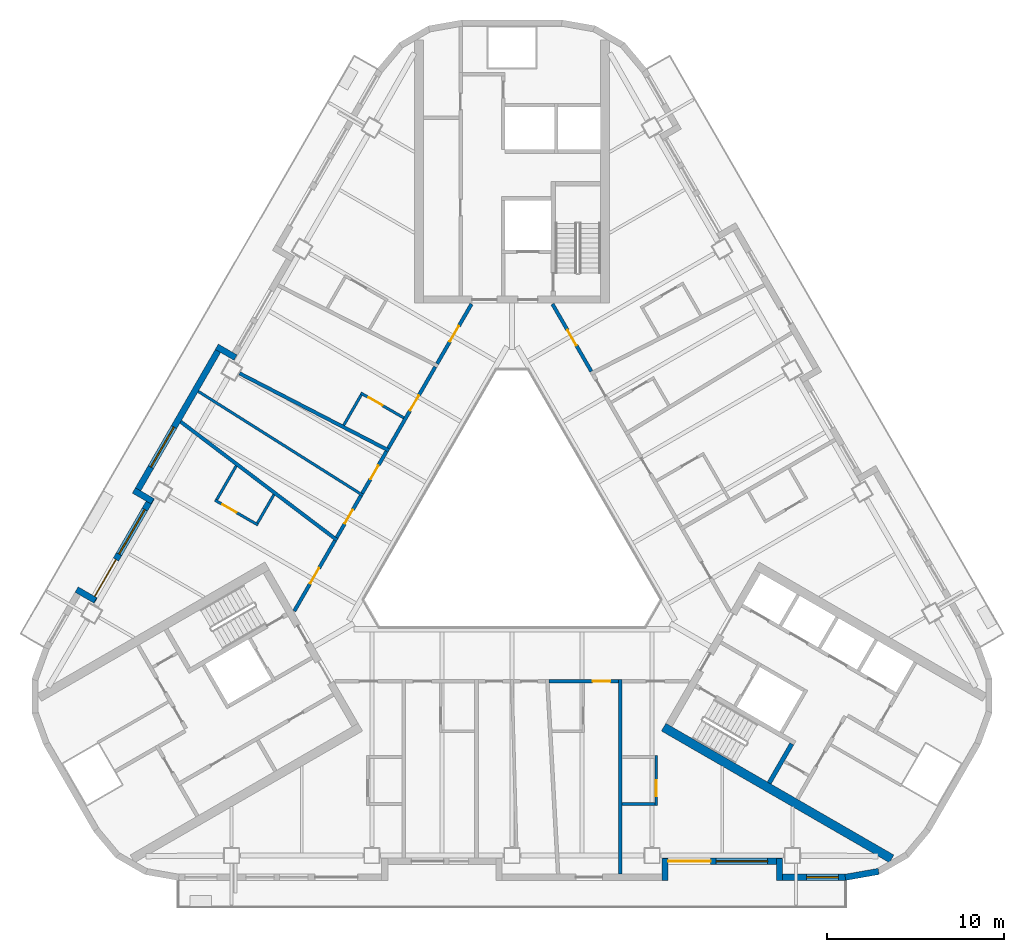
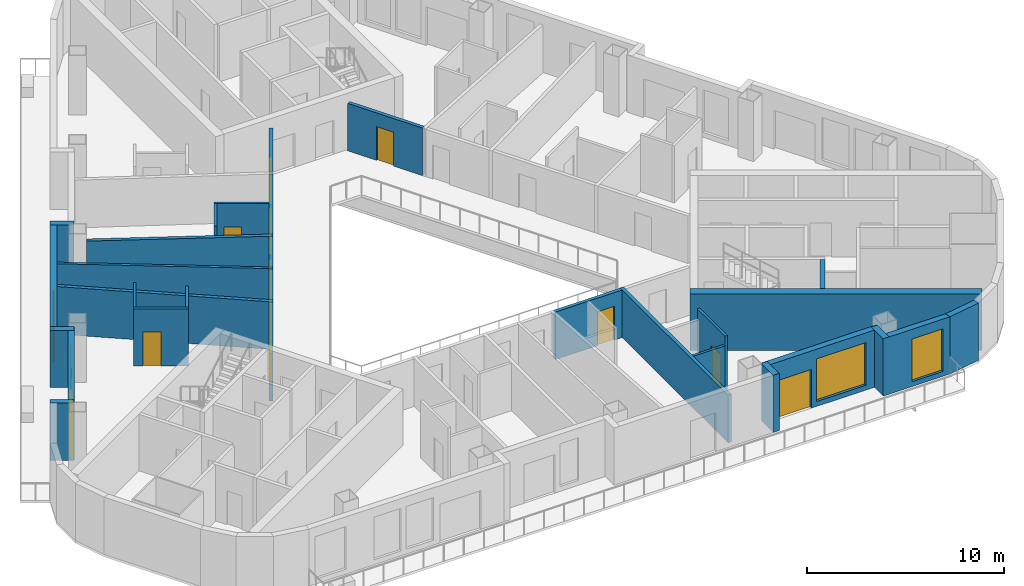
# One storey, part 4 of 14: 30 walls, 12 doors, 4 windows, 16 openings.
"""IFC4 building model written with IfcOpenShell, lengths in metres."""

from ifc_helpers import new_model, si_unit, direction, frame, frame_2d, origin, place, context, subcontext, project, spatial, rectangle, extrude, material, layer, layer_set, type_object, element, fill, save


model = new_model("IFC4")

# Units and contexts
model_context = context("Model", 3, precision=1e-05, world=origin(), true_north=direction((0.0, 1.0)))
body_context = subcontext(model_context, "Body", "Model", "MODEL_VIEW")
ifc_project = project(units=[si_unit("LENGTHUNIT", "METRE"), si_unit("AREAUNIT", "SQUARE_METRE"), si_unit("VOLUMEUNIT", "CUBIC_METRE"), si_unit("PLANEANGLEUNIT", "RADIAN"), si_unit("MASSUNIT", "GRAM", prefix="KILO")], contexts=[model_context])

# Site, building, storey
site_placement = place(None, origin())
site = spatial("IfcSite", under=ifc_project, at=site_placement, CompositionType="ELEMENT")
building_placement = place(site_placement, origin())
building = spatial("IfcBuilding", under=site, at=building_placement, Name="Apuvela Tower Hotel", CompositionType="ELEMENT")
storey_placement = place(building_placement, frame((0.0, 0.0, 87.199951171875)))
storey = spatial("IfcBuildingStorey", under=building, at=storey_placement, Name="L19", CompositionType="ELEMENT", Elevation=87.199951171875)

# Walls
ifc_material_1 = material(Name="Concrete C50/60", Category="concrete")
ifc_layer_1 = layer(ifc_material_1, 0.5)
ifc_layer_set_1 = layer_set([ifc_layer_1], Name="COR-WALL-CORE-500")
wall_type_1 = type_object("IfcWallType", Name="COR-WALL-CORE-500", PredefinedType="SHEAR", material=ifc_layer_set_1)
wall_1_placement = place(storey_placement, frame((8.546630859375, -10.99658203125, 0.0), z_axis=(0.0, 0.0, 1.0), x_axis=(0.866025009528, -0.500000682871, 0.0)))
element("IfcWall", 1, at=wall_1_placement, inside=storey, type_object=wall_type_1, Name="Core wall SE", PredefinedType="SHEAR", context=body_context, shape_type="SweptSolid", body=[
    extrude(rectangle(XDim=14.8369140625, YDim=0.5, at=frame_2d((7.41845703125, 0.0))), origin(), (0.0, 0.0, 1.0), 3.5),
])
ifc_layer_2 = layer(ifc_material_1, 0.25)
ifc_layer_set_2 = layer_set([ifc_layer_2], Name="COR-WALL-STAIR-250")
wall_type_2 = type_object("IfcWallType", Name="COR-WALL-STAIR-250", PredefinedType="SHEAR", material=ifc_layer_set_2)
wall_2_placement = place(storey_placement, frame((14.49560546875, -14.142578125, 0.0), z_axis=(0.0, 0.0, 1.0), x_axis=(0.500062241894, 0.865989465428, 0.0)))
element("IfcWall", 2, at=wall_2_placement, inside=storey, type_object=wall_type_2, Name="Stair wall SE", PredefinedType="SHEAR", context=body_context, shape_type="SweptSolid", body=[
    extrude(rectangle(XDim=2.550048828125, YDim=0.25, at=frame_2d((1.27490234375, 0.0))), origin(), (0.0, 0.0, 1.0), 3.5),
])
ifc_material_2 = material(Name="Concrete C40/50, dark pigmented precast panel", Category="concrete")
ifc_layer_3 = layer(ifc_material_2, 0.35009765625)
ifc_layer_set_3 = layer_set([ifc_layer_3], Name="ENV-WALL-350")
wall_type_3 = type_object("IfcWallType", Name="ENV-WALL-350", PredefinedType="SOLIDWALL", material=ifc_layer_set_3)
wall_3_placement = place(storey_placement, frame((-15.580810546875, 9.8330078125, 0.0), z_axis=(0.0, 0.0, 1.0), x_axis=(-0.866055662726, 0.499947586314, 0.0)))
element("IfcWall", 3, at=wall_3_placement, inside=storey, type_object=wall_type_3, Name="External wall L19-04", PredefinedType="SOLIDWALL", context=body_context, shape_type="SweptSolid", body=[
    extrude(rectangle(XDim=1.220458984375, YDim=0.35009765625, at=frame_2d((0.6103515625, 0.0))), origin(), (0.0, 0.0, 1.0), 3.550048828125),
])

# Wall, opening, window
wall_4_placement = place(storey_placement, frame((-16.3984375, 10.507080078125, 0.0), z_axis=(0.0, 0.0, 1.0), x_axis=(-0.499999142773, -0.866025898704, 0.0)))
wall_4 = element("IfcWall", 4, at=wall_4_placement, inside=storey, type_object=wall_type_3, Name="External wall L19-05", PredefinedType="SOLIDWALL", context=body_context, shape_type="SweptSolid", body=[
    extrude(rectangle(XDim=9.7001953125, YDim=0.35009765625, at=frame_2d((4.85009765625, 0.0))), origin(), (0.0, 0.0, 1.0), 3.550048828125),
])
opening_1_placement = place(wall_4_placement, frame((5.301025390625, 0.0, 0.300048828125)))
opening_1 = element("IfcOpeningElement", 5, at=opening_1_placement, cuts=wall_4, Name="Opening WN26", PredefinedType="OPENING", context=body_context, shape_type="SweptSolid", body=[
    extrude(rectangle(XDim=2.60009765625, YDim=2.64990234375, at=frame_2d((1.300048828125, 1.324951171875))), frame((0.0, 0.18505859375, 0.0), z_axis=(0.0, -1.0, 0.0), x_axis=(1.0, 0.0, 0.0)), (0.0, 0.0, 1.0), 0.3701171875),
])
ifc_material_3 = material(Name="Glass, dark tinted laminated insulated glazing unit", Category="glass")
window_type_1 = type_object("IfcWindowType", Name="ENV-WIN-2600x2650", PartitioningType="SINGLE_PANEL", PredefinedType="WINDOW", material=ifc_material_3)
window_1_placement = place(opening_1_placement, origin())
window_1 = element("IfcWindow", 6, at=window_1_placement, inside=storey, type_object=window_type_1, Name="Window WN26", OverallHeight=2.64990234375, OverallWidth=2.60009765625, PartitioningType="SINGLE_PANEL", PredefinedType="WINDOW", context=body_context, shape_type="SweptSolid", body=[
    extrude(rectangle(XDim=2.60009765625, YDim=2.64990234375, at=frame_2d((1.300048828125, 1.324951171875))), frame((0.0, 0.030029296875, 0.0), z_axis=(0.0, -1.0, 0.0), x_axis=(1.0, 0.0, 0.0)), (0.0, 0.0, 1.0), 0.06005859375),
])
fill(opening_1, window_1)

# Wall
wall_5_placement = place(storey_placement, frame((-21.3125, 2.345703125, 0.0), z_axis=(0.0, 0.0, 1.0), x_axis=(0.866005645448, -0.500034220881, 0.0)))
element("IfcWall", 7, at=wall_5_placement, inside=storey, type_object=wall_type_3, Name="External wall L19-06", PredefinedType="SOLIDWALL", context=body_context, shape_type="SweptSolid", body=[
    extrude(rectangle(XDim=1.22021484375, YDim=0.35009765625, at=frame_2d((0.610107421875, 0.0))), origin(), (0.0, 0.0, 1.0), 3.550048828125),
])

# Wall, openings, door, window
wall_6_placement = place(storey_placement, frame((-20.30908203125, 1.93359375, 0.0), z_axis=(0.0, 0.0, 1.0), x_axis=(-0.499992114976, -0.866029956157, 0.0)))
wall_6 = element("IfcWall", 8, at=wall_6_placement, inside=storey, type_object=wall_type_3, Name="External wall L19-07", PredefinedType="SOLIDWALL", context=body_context, shape_type="SweptSolid", body=[
    extrude(rectangle(XDim=6.73974609375, YDim=0.35009765625, at=frame_2d((3.369873046875, 0.0))), origin(), (0.0, 0.0, 1.0), 3.550048828125),
])
opening_2_placement = place(wall_6_placement, frame((4.02001953125, 0.0, 0.0)))
opening_2 = element("IfcOpeningElement", 9, at=opening_2_placement, cuts=wall_6, Name="Opening BD24", PredefinedType="OPENING", context=body_context, shape_type="SweptSolid", body=[
    extrude(rectangle(XDim=2.39990234375, YDim=2.39990234375, at=frame_2d((1.199951171875, 1.199951171875))), frame((0.0, 0.18505859375, 0.0), z_axis=(0.0, -1.0, 0.0), x_axis=(1.0, 0.0, 0.0)), (0.0, 0.0, 1.0), 0.3701171875),
])
opening_3_placement = place(wall_6_placement, frame((0.77001953125, 0.0, 0.300048828125)))
opening_3 = element("IfcOpeningElement", 10, at=opening_3_placement, cuts=wall_6, Name="Opening WN29", PredefinedType="OPENING", context=body_context, shape_type="SweptSolid", body=[
    extrude(rectangle(XDim=2.89990234375, YDim=2.64990234375, at=frame_2d((1.449951171875, 1.324951171875))), frame((0.0, 0.18505859375, 0.0), z_axis=(0.0, -1.0, 0.0), x_axis=(1.0, 0.0, 0.0)), (0.0, 0.0, 1.0), 0.3701171875),
])
ifc_material_4 = material(Name="Aluminium 6063-T6, dark bronze anodised frame with dark tinted laminated glass", Category="aluminium")
door_type_1 = type_object("IfcDoorType", Name="ENV-DOOR-BALCONY-2400x2400", OperationType="SLIDING_TO_LEFT", PredefinedType="DOOR", material=ifc_material_4)
door_1_placement = place(opening_2_placement, frame((2.39990234375, 0.0, 0.0), z_axis=(0.0, 0.0, 1.0), x_axis=(-1.0, 0.0, 0.0)))
door_1 = element("IfcDoor", 11, at=door_1_placement, inside=storey, type_object=door_type_1, Name="Balcony door BD24", OperationType="SLIDING_TO_LEFT", OverallHeight=2.39990234375, OverallWidth=2.39990234375, PredefinedType="DOOR", context=body_context, shape_type="SweptSolid", body=[
    extrude(rectangle(XDim=2.39990234375, YDim=2.39990234375, at=frame_2d((1.199951171875, 1.199951171875))), frame((0.0, 0.02490234375, 0.0), z_axis=(0.0, -1.0, 0.0), x_axis=(1.0, 0.0, 0.0)), (0.0, 0.0, 1.0), 0.050048828125),
])
fill(opening_2, door_1)
window_type_2 = type_object("IfcWindowType", Name="ENV-WIN-2900x2650", PartitioningType="SINGLE_PANEL", PredefinedType="WINDOW", material=ifc_material_3)
window_2_placement = place(opening_3_placement, origin())
window_2 = element("IfcWindow", 12, at=window_2_placement, inside=storey, type_object=window_type_2, Name="Window WN29", OverallHeight=2.64990234375, OverallWidth=2.89990234375, PartitioningType="SINGLE_PANEL", PredefinedType="WINDOW", context=body_context, shape_type="SweptSolid", body=[
    extrude(rectangle(XDim=2.89990234375, YDim=2.64990234375, at=frame_2d((1.449951171875, 1.324951171875))), frame((0.0, 0.030029296875, 0.0), z_axis=(0.0, -1.0, 0.0), x_axis=(1.0, 0.0, 0.0)), (0.0, 0.0, 1.0), 0.06005859375),
])
fill(opening_3, window_2)

# Walls
for number, where, z_axis, x_axis, name in (
    (13, (-23.48095703125, -3.85009765625, 0.0), (0.0, 0.0, 1.0), (-0.866092288191, 0.499884134912, 0.0), "External wall L19-08"),
    (14, (8.625, -19.6298828125, 0.0), (0.0, 0.0, 1.0), (0.0, 1.0, 0.0), "External wall L19-22"),
):
    element("IfcWall", number, at=place(storey_placement, frame(where, z_axis=z_axis, x_axis=x_axis)), inside=storey, type_object=wall_type_3, Name=name, PredefinedType="SOLIDWALL", context=body_context, shape_type="SweptSolid", body=[
        extrude(rectangle(XDim=1.219970703125, YDim=0.35009765625, at=frame_2d((0.60986328125, 0.0))), origin(), (0.0, 0.0, 1.0), 3.550048828125),
    ])

# Wall, openings, door, window
wall_7_placement = place(storey_placement, frame((8.47998046875, -18.554931640625, 0.0), z_axis=(0.0, 0.0, 1.0), x_axis=(1.0, 0.0, 0.0)))
wall_7 = element("IfcWall", 15, at=wall_7_placement, inside=storey, type_object=wall_type_3, Name="External wall L19-23", PredefinedType="SOLIDWALL", context=body_context, shape_type="SweptSolid", body=[
    extrude(rectangle(XDim=6.739990234375, YDim=0.35009765625, at=frame_2d((3.3701171875, 0.0))), origin(), (0.0, 0.0, 1.0), 3.550048828125),
])
opening_4_placement = place(wall_7_placement, frame((0.3203125, 0.0, 0.0)))
opening_4 = element("IfcOpeningElement", 16, at=opening_4_placement, cuts=wall_7, Name="Opening BD24", PredefinedType="OPENING", context=body_context, shape_type="SweptSolid", body=[
    extrude(rectangle(XDim=2.39990234375, YDim=2.39990234375, at=frame_2d((1.199951171875, 1.199951171875))), frame((0.0, 0.18505859375, 0.0), z_axis=(0.0, -1.0, 0.0), x_axis=(1.0, 0.0, 0.0)), (0.0, 0.0, 1.0), 0.3701171875),
])
opening_5_placement = place(wall_7_placement, frame((3.020263671875, 0.0, 0.300048828125)))
opening_5 = element("IfcOpeningElement", 17, at=opening_5_placement, cuts=wall_7, Name="Opening WN29", PredefinedType="OPENING", context=body_context, shape_type="SweptSolid", body=[
    extrude(rectangle(XDim=2.89990234375, YDim=2.64990234375, at=frame_2d((1.449951171875, 1.324951171875))), frame((0.0, 0.18505859375, 0.0), z_axis=(0.0, -1.0, 0.0), x_axis=(1.0, 0.0, 0.0)), (0.0, 0.0, 1.0), 0.3701171875),
])
door_2_placement = place(opening_4_placement, frame((2.39990234375, 0.0, 0.0), z_axis=(0.0, 0.0, 1.0), x_axis=(-1.0, 0.0, 0.0)))
door_2 = element("IfcDoor", 18, at=door_2_placement, inside=storey, type_object=door_type_1, Name="Balcony door BD24", OperationType="SLIDING_TO_LEFT", OverallHeight=2.39990234375, OverallWidth=2.39990234375, PredefinedType="DOOR", context=body_context, shape_type="SweptSolid", body=[
    extrude(rectangle(XDim=2.39990234375, YDim=2.39990234375, at=frame_2d((1.199951171875, 1.199951171875))), frame((0.0, 0.02490234375, 0.0), z_axis=(0.0, -1.0, 0.0), x_axis=(1.0, 0.0, 0.0)), (0.0, 0.0, 1.0), 0.050048828125),
])
fill(opening_4, door_2)
window_3_placement = place(opening_5_placement, origin())
window_3 = element("IfcWindow", 19, at=window_3_placement, inside=storey, type_object=window_type_2, Name="Window WN29", OverallHeight=2.64990234375, OverallWidth=2.89990234375, PartitioningType="SINGLE_PANEL", PredefinedType="WINDOW", context=body_context, shape_type="SweptSolid", body=[
    extrude(rectangle(XDim=2.89990234375, YDim=2.64990234375, at=frame_2d((1.449951171875, 1.324951171875))), frame((0.0, 0.030029296875, 0.0), z_axis=(0.0, -1.0, 0.0), x_axis=(1.0, 0.0, 0.0)), (0.0, 0.0, 1.0), 0.06005859375),
])
fill(opening_5, window_3)

# Wall
wall_8_placement = place(storey_placement, frame((15.074951171875, -18.409912109375, 0.0), z_axis=(0.0, 0.0, 1.0), x_axis=(0.0, -1.0, 0.0)))
element("IfcWall", 20, at=wall_8_placement, inside=storey, type_object=wall_type_3, Name="External wall L19-24", PredefinedType="SOLIDWALL", context=body_context, shape_type="SweptSolid", body=[
    extrude(rectangle(XDim=1.219970703125, YDim=0.35009765625, at=frame_2d((0.60986328125, 0.0))), origin(), (0.0, 0.0, 1.0), 3.550048828125),
])

# Wall, opening, window
wall_9_placement = place(storey_placement, frame((14.89990234375, -19.455078125, 0.0), z_axis=(0.0, 0.0, 1.0), x_axis=(1.0, 0.0, 0.0)))
wall_9 = element("IfcWall", 21, at=wall_9_placement, inside=storey, type_object=wall_type_3, Name="External wall L19-25", PredefinedType="SOLIDWALL", context=body_context, shape_type="SweptSolid", body=[
    extrude(rectangle(XDim=3.916015625, YDim=0.35009765625, at=frame_2d((1.9580078125, 0.0))), origin(), (0.0, 0.0, 1.0), 3.550048828125),
])
opening_6_placement = place(wall_9_placement, frame((1.699951171875, 0.0, 0.300048828125)))
opening_6 = element("IfcOpeningElement", 22, at=opening_6_placement, cuts=wall_9, Name="Opening WN18", PredefinedType="OPENING", context=body_context, shape_type="SweptSolid", body=[
    extrude(rectangle(XDim=1.800048828125, YDim=2.64990234375, at=frame_2d((0.89990234375, 1.324951171875))), frame((0.0, 0.18505859375, 0.0), z_axis=(0.0, -1.0, 0.0), x_axis=(1.0, 0.0, 0.0)), (0.0, 0.0, 1.0), 0.3701171875),
])
window_type_3 = type_object("IfcWindowType", Name="ENV-WIN-1800x2650", PartitioningType="SINGLE_PANEL", PredefinedType="WINDOW", material=ifc_material_3)
window_4_placement = place(opening_6_placement, origin())
window_4 = element("IfcWindow", 23, at=window_4_placement, inside=storey, type_object=window_type_3, Name="Window WN18", OverallHeight=2.64990234375, OverallWidth=1.800048828125, PartitioningType="SINGLE_PANEL", PredefinedType="WINDOW", context=body_context, shape_type="SweptSolid", body=[
    extrude(rectangle(XDim=1.800048828125, YDim=2.64990234375, at=frame_2d((0.89990234375, 1.324951171875))), frame((0.0, 0.030029296875, 0.0), z_axis=(0.0, -1.0, 0.0), x_axis=(1.0, 0.0, 0.0)), (0.0, 0.0, 1.0), 0.06005859375),
])
fill(opening_6, window_4)

# Walls
wall_10_placement = place(storey_placement, frame((18.785400390625, -19.457763671875, 0.0), z_axis=(0.0, 0.0, 1.0), x_axis=(0.984798995425, 0.173697837091, 0.0)))
element("IfcWall", 24, at=wall_10_placement, inside=storey, type_object=wall_type_3, Name="External wall L19-26", PredefinedType="SOLIDWALL", context=body_context, shape_type="SweptSolid", body=[
    extrude(rectangle(XDim=1.91015625, YDim=0.35009765625, at=frame_2d((0.955078125, 0.0))), origin(), (0.0, 0.0, 1.0), 3.550048828125),
])
ifc_material_5 = material(Name="Gypsum board partition on twin steel stud", Category="steel")
ifc_layer_4 = layer(ifc_material_5, 0.199951171875)
ifc_layer_set_4 = layer_set([ifc_layer_4], Name="GST-PW1")
wall_type_4 = type_object("IfcWallType", Name="GST-PW1", PredefinedType="PARTITIONING", material=ifc_layer_set_4)
wall_11_placement = place(storey_placement, frame((6.10009765625, -19.280029296875, 0.0), z_axis=(0.0, 0.0, 1.0), x_axis=(0.0, 1.0, 0.0)))
element("IfcWall", 25, at=wall_11_placement, inside=storey, type_object=wall_type_4, Name="L19 partition 04", PredefinedType="PARTITIONING", context=body_context, shape_type="SweptSolid", body=[
    extrude(rectangle(XDim=10.97998046875, YDim=0.199951171875, at=frame_2d((5.489990234375, 0.0))), origin(), (0.0, 0.0, 1.0), 2.9599609375),
])
wall_12_placement = place(storey_placement, frame((-15.363037109375, 8.9501953125, 0.0), z_axis=(0.0, 0.0, 1.0), x_axis=(0.888262888387, -0.459335434203, 0.0)))
element("IfcWall", 26, at=wall_12_placement, inside=storey, type_object=wall_type_4, Name="L19 partition 09", PredefinedType="PARTITIONING", context=body_context, shape_type="SweptSolid", body=[
    extrude(rectangle(XDim=9.489990234375, YDim=0.199951171875, at=frame_2d((4.7451171875, 0.0))), origin(), (0.0, 0.0, 1.0), 2.949951171875),
])
wall_13_placement = place(storey_placement, frame((-18.672119140625, 6.21923828125, 0.0), z_axis=(0.0, 0.0, 1.0), x_axis=(0.797182242606, -0.603738744884, 0.0)))
element("IfcWall", 27, at=wall_13_placement, inside=storey, type_object=wall_type_4, Name="L19 partition 10", PredefinedType="PARTITIONING", context=body_context, shape_type="SweptSolid", body=[
    extrude(rectangle(XDim=11.06591796875, YDim=0.199951171875, at=frame_2d((5.532958984375, 0.0))), origin(), (0.0, 0.0, 1.0), 2.949951171875),
])

# Wall, opening, door
ifc_material_6 = material(Name="Gypsum board corridor wall on twin steel stud, acoustic", Category="steel")
ifc_layer_5 = layer(ifc_material_6, 0.199951171875)
ifc_layer_set_5 = layer_set([ifc_layer_5], Name="GST-PW2")
wall_type_5 = type_object("IfcWallType", Name="GST-PW2", PredefinedType="PARTITIONING", material=ifc_layer_set_5)
wall_14_placement = place(storey_placement, frame((6.0, -8.39990234375, 0.0), z_axis=(0.0, 0.0, 1.0), x_axis=(-1.0, 0.0, 0.0)))
wall_14 = element("IfcWall", 28, at=wall_14_placement, inside=storey, type_object=wall_type_5, Name="L19 partition 21", PredefinedType="PARTITIONING", context=body_context, shape_type="SweptSolid", body=[
    extrude(rectangle(XDim=3.905517578125, YDim=0.199951171875, at=frame_2d((1.95263671875, 0.0))), origin(), (0.0, 0.0, 1.0), 2.949951171875),
])
opening_7_placement = place(wall_14_placement, frame((0.449951171875, 0.0, 0.0)))
opening_7 = element("IfcOpeningElement", 29, at=opening_7_placement, cuts=wall_14, Name="Opening GD06-08", PredefinedType="OPENING", context=body_context, shape_type="SweptSolid", body=[
    extrude(rectangle(XDim=1.0, YDim=2.10009765625, at=frame_2d((0.5, 1.050048828125))), frame((0.0, 0.10986328125, 0.0), z_axis=(0.0, -1.0, 0.0), x_axis=(1.0, 0.0, 0.0)), (0.0, 0.0, 1.0), 0.219970703125),
])
ifc_material_7 = material(Name="Timber door leaf in steel frame", Category="steel")
door_type_2 = type_object("IfcDoorType", Name="GST-D1", OperationType="NOTDEFINED", PredefinedType="DOOR", material=ifc_material_7)
door_3_placement = place(opening_7_placement, origin())
door_3 = element("IfcDoor", 30, at=door_3_placement, inside=storey, type_object=door_type_2, Name="Door L19-08", OperationType="SINGLE_SWING_LEFT", OverallHeight=2.10009765625, OverallWidth=1.0, PredefinedType="DOOR", context=body_context, shape_type="SweptSolid", body=[
    extrude(rectangle(XDim=1.0, YDim=2.10009765625, at=frame_2d((0.5, 1.050048828125))), frame((0.0, 0.02490234375, 0.0), z_axis=(0.0, -1.0, 0.0), x_axis=(1.0, 0.0, 0.0)), (0.0, 0.0, 1.0), 0.050048828125),
])
fill(opening_7, door_3)

wall_15_placement = place(storey_placement, frame((2.280517578125, 12.85009765625, 0.0), z_axis=(0.0, 0.0, 1.0), x_axis=(0.499973180286, -0.8660408876, 0.0)))
wall_15 = element("IfcWall", 31, at=wall_15_placement, inside=storey, type_object=wall_type_5, Name="L19 partition 38", PredefinedType="PARTITIONING", context=body_context, shape_type="SweptSolid", body=[
    extrude(rectangle(XDim=4.383056640625, YDim=0.199951171875, at=frame_2d((2.19140625, 0.0))), origin(), (0.0, 0.0, 1.0), 2.949951171875),
])
opening_8_placement = place(wall_15_placement, frame((1.69140625, 0.0, 0.0)))
opening_8 = element("IfcOpeningElement", 32, at=opening_8_placement, cuts=wall_15, Name="Opening GD06-18", PredefinedType="OPENING", context=body_context, shape_type="SweptSolid", body=[
    extrude(rectangle(XDim=1.0, YDim=2.10009765625, at=frame_2d((0.5, 1.050048828125))), frame((0.0, 0.10986328125, 0.0), z_axis=(0.0, -1.0, 0.0), x_axis=(1.0, 0.0, 0.0)), (0.0, 0.0, 1.0), 0.219970703125),
])
door_4_placement = place(opening_8_placement, origin())
door_4 = element("IfcDoor", 33, at=door_4_placement, inside=storey, type_object=door_type_2, Name="Door L19-18", OperationType="SINGLE_SWING_RIGHT", OverallHeight=2.10009765625, OverallWidth=1.0, PredefinedType="DOOR", context=body_context, shape_type="SweptSolid", body=[
    extrude(rectangle(XDim=1.0, YDim=2.10009765625, at=frame_2d((0.5, 1.050048828125))), frame((0.0, 0.02490234375, 0.0), z_axis=(0.0, -1.0, 0.0), x_axis=(1.0, 0.0, 0.0)), (0.0, 0.0, 1.0), 0.050048828125),
])
fill(opening_8, door_4)

wall_16_placement = place(storey_placement, frame((-4.2216796875, 9.48779296875, 0.0), z_axis=(0.0, 0.0, 1.0), x_axis=(0.49998736472, 0.866032698644, 0.0)))
wall_16 = element("IfcWall", 34, at=wall_16_placement, inside=storey, type_object=wall_type_5, Name="L19 partition 42", PredefinedType="PARTITIONING", context=body_context, shape_type="SweptSolid", body=[
    extrude(rectangle(XDim=3.88232421875, YDim=0.199951171875, at=frame_2d((1.941162109375, 0.0))), origin(), (0.0, 0.0, 1.0), 2.949951171875),
])
opening_9_placement = place(wall_16_placement, frame((1.44140625, 0.0, 0.0)))
opening_9 = element("IfcOpeningElement", 35, at=opening_9_placement, cuts=wall_16, Name="Opening GD06-20", PredefinedType="OPENING", context=body_context, shape_type="SweptSolid", body=[
    extrude(rectangle(XDim=1.0, YDim=2.10009765625, at=frame_2d((0.5, 1.050048828125))), frame((0.0, 0.10986328125, 0.0), z_axis=(0.0, -1.0, 0.0), x_axis=(1.0, 0.0, 0.0)), (0.0, 0.0, 1.0), 0.219970703125),
])
door_5_placement = place(opening_9_placement, origin())
door_5 = element("IfcDoor", 36, at=door_5_placement, inside=storey, type_object=door_type_2, Name="Door L19-20", OperationType="SINGLE_SWING_LEFT", OverallHeight=2.10009765625, OverallWidth=1.0, PredefinedType="DOOR", context=body_context, shape_type="SweptSolid", body=[
    extrude(rectangle(XDim=1.0, YDim=2.10009765625, at=frame_2d((0.5, 1.050048828125))), frame((0.0, 0.02490234375, 0.0), z_axis=(0.0, -1.0, 0.0), x_axis=(1.0, 0.0, 0.0)), (0.0, 0.0, 1.0), 0.050048828125),
])
fill(opening_9, door_5)

wall_17_placement = place(storey_placement, frame((-6.97216796875, 4.7236328125, 0.0), z_axis=(0.0, 0.0, 1.0), x_axis=(0.499968318869, 0.866043694121, 0.0)))
wall_17 = element("IfcWall", 37, at=wall_17_placement, inside=storey, type_object=wall_type_5, Name="L19 partition 46", PredefinedType="PARTITIONING", context=body_context, shape_type="SweptSolid", body=[
    extrude(rectangle(XDim=5.300537109375, YDim=0.199951171875, at=frame_2d((2.650390625, 0.0))), origin(), (0.0, 0.0, 1.0), 2.949951171875),
])
opening_10_placement = place(wall_17_placement, frame((2.4453125, 0.0, 0.0)))
opening_10 = element("IfcOpeningElement", 38, at=opening_10_placement, cuts=wall_17, Name="Opening GD06-22", PredefinedType="OPENING", context=body_context, shape_type="SweptSolid", body=[
    extrude(rectangle(XDim=1.0, YDim=2.10009765625, at=frame_2d((0.5, 1.050048828125))), frame((0.0, 0.10986328125, 0.0), z_axis=(0.0, -1.0, 0.0), x_axis=(1.0, 0.0, 0.0)), (0.0, 0.0, 1.0), 0.219970703125),
])
door_6_placement = place(opening_10_placement, origin())
door_6 = element("IfcDoor", 39, at=door_6_placement, inside=storey, type_object=door_type_2, Name="Door L19-22", OperationType="SINGLE_SWING_RIGHT", OverallHeight=2.10009765625, OverallWidth=1.0, PredefinedType="DOOR", context=body_context, shape_type="SweptSolid", body=[
    extrude(rectangle(XDim=1.0, YDim=2.10009765625, at=frame_2d((0.5, 1.050048828125))), frame((0.0, 0.02490234375, 0.0), z_axis=(0.0, -1.0, 0.0), x_axis=(1.0, 0.0, 0.0)), (0.0, 0.0, 1.0), 0.050048828125),
])
fill(opening_10, door_6)

wall_18_placement = place(storey_placement, frame((-8.439208984375, 2.18310546875, 0.0), z_axis=(0.0, 0.0, 1.0), x_axis=(0.500067773546, 0.865986271173, 0.0)))
wall_18 = element("IfcWall", 40, at=wall_18_placement, inside=storey, type_object=wall_type_5, Name="L19 partition 50", PredefinedType="PARTITIONING", context=body_context, shape_type="SweptSolid", body=[
    extrude(rectangle(XDim=2.7333984375, YDim=0.199951171875, at=frame_2d((1.36669921875, 0.0))), origin(), (0.0, 0.0, 1.0), 2.949951171875),
])
opening_11_placement = place(wall_18_placement, frame((0.916748046875, 0.0, 0.0)))
opening_11 = element("IfcOpeningElement", 41, at=opening_11_placement, cuts=wall_18, Name="Opening GD06-23", PredefinedType="OPENING", context=body_context, shape_type="SweptSolid", body=[
    extrude(rectangle(XDim=0.89990234375, YDim=2.10009765625, at=frame_2d((0.449951171875, 1.050048828125))), frame((0.0, 0.10986328125, 0.0), z_axis=(0.0, -1.0, 0.0), x_axis=(1.0, 0.0, 0.0)), (0.0, 0.0, 1.0), 0.219970703125),
])
door_type_3 = type_object("IfcDoorType", Name="GST-D2", OperationType="NOTDEFINED", PredefinedType="DOOR", material=ifc_material_7)
door_7_placement = place(opening_11_placement, origin())
door_7 = element("IfcDoor", 42, at=door_7_placement, inside=storey, type_object=door_type_3, Name="Door L19-23", OperationType="SINGLE_SWING_LEFT", OverallHeight=2.10009765625, OverallWidth=0.89990234375, PredefinedType="DOOR", context=body_context, shape_type="SweptSolid", body=[
    extrude(rectangle(XDim=0.89990234375, YDim=2.10009765625, at=frame_2d((0.449951171875, 1.050048828125))), frame((0.0, 0.02490234375, 0.0), z_axis=(0.0, -1.0, 0.0), x_axis=(1.0, 0.0, 0.0)), (0.0, 0.0, 1.0), 0.050048828125),
])
fill(opening_11, door_7)

wall_19_placement = place(storey_placement, frame((-9.880615234375, -0.3134765625, 0.0), z_axis=(0.0, 0.0, 1.0), x_axis=(0.500011155099, 0.866018963289, 0.0)))
wall_19 = element("IfcWall", 43, at=wall_19_placement, inside=storey, type_object=wall_type_5, Name="L19 partition 51", PredefinedType="PARTITIONING", context=body_context, shape_type="SweptSolid", body=[
    extrude(rectangle(XDim=2.73291015625, YDim=0.199951171875, at=frame_2d((1.366455078125, 0.0))), origin(), (0.0, 0.0, 1.0), 2.949951171875),
])
opening_12_placement = place(wall_19_placement, frame((0.91650390625, 0.0, 0.0)))
opening_12 = element("IfcOpeningElement", 44, at=opening_12_placement, cuts=wall_19, Name="Opening GD06-24", PredefinedType="OPENING", context=body_context, shape_type="SweptSolid", body=[
    extrude(rectangle(XDim=0.89990234375, YDim=2.10009765625, at=frame_2d((0.449951171875, 1.050048828125))), frame((0.0, 0.10986328125, 0.0), z_axis=(0.0, -1.0, 0.0), x_axis=(1.0, 0.0, 0.0)), (0.0, 0.0, 1.0), 0.219970703125),
])
door_8_placement = place(opening_12_placement, origin())
door_8 = element("IfcDoor", 45, at=door_8_placement, inside=storey, type_object=door_type_3, Name="Door L19-24", OperationType="SINGLE_SWING_RIGHT", OverallHeight=2.10009765625, OverallWidth=0.89990234375, PredefinedType="DOOR", context=body_context, shape_type="SweptSolid", body=[
    extrude(rectangle(XDim=0.89990234375, YDim=2.10009765625, at=frame_2d((0.449951171875, 1.050048828125))), frame((0.0, 0.02490234375, 0.0), z_axis=(0.0, -1.0, 0.0), x_axis=(1.0, 0.0, 0.0)), (0.0, 0.0, 1.0), 0.050048828125),
])
fill(opening_12, door_8)

wall_20_placement = place(storey_placement, frame((-12.268798828125, -4.449951171875, 0.0), z_axis=(0.0, 0.0, 1.0), x_axis=(0.500030411023, 0.86600784526, 0.0)))
wall_20 = element("IfcWall", 46, at=wall_20_placement, inside=storey, type_object=wall_type_5, Name="L19 partition 52", PredefinedType="PARTITIONING", context=body_context, shape_type="SweptSolid", body=[
    extrude(rectangle(XDim=4.574951171875, YDim=0.199951171875, at=frame_2d((2.28759765625, 0.0))), origin(), (0.0, 0.0, 1.0), 2.949951171875),
])
opening_13_placement = place(wall_20_placement, frame((1.787353515625, 0.0, 0.0)))
opening_13 = element("IfcOpeningElement", 47, at=opening_13_placement, cuts=wall_20, Name="Opening GD06-26", PredefinedType="OPENING", context=body_context, shape_type="SweptSolid", body=[
    extrude(rectangle(XDim=1.0, YDim=2.10009765625, at=frame_2d((0.5, 1.050048828125))), frame((0.0, 0.10986328125, 0.0), z_axis=(0.0, -1.0, 0.0), x_axis=(1.0, 0.0, 0.0)), (0.0, 0.0, 1.0), 0.219970703125),
])
door_9_placement = place(opening_13_placement, origin())
door_9 = element("IfcDoor", 48, at=door_9_placement, inside=storey, type_object=door_type_2, Name="Door L19-26", OperationType="SINGLE_SWING_RIGHT", OverallHeight=2.10009765625, OverallWidth=1.0, PredefinedType="DOOR", context=body_context, shape_type="SweptSolid", body=[
    extrude(rectangle(XDim=1.0, YDim=2.10009765625, at=frame_2d((0.5, 1.050048828125))), frame((0.0, 0.02490234375, 0.0), z_axis=(0.0, -1.0, 0.0), x_axis=(1.0, 0.0, 0.0)), (0.0, 0.0, 1.0), 0.050048828125),
])
fill(opening_13, door_9)

ifc_material_8 = material(Name="Moisture-resistant gypsum board wet wall on steel stud", Category="steel")
ifc_layer_6 = layer(ifc_material_8, 0.14990234375)
ifc_layer_set_6 = layer_set([ifc_layer_6], Name="GST-PW3")
wall_type_6 = type_object("IfcWallType", Name="GST-PW3", PredefinedType="PARTITIONING", material=ifc_layer_set_6)
wall_21_placement = place(storey_placement, frame((8.125, -15.39990234375, 0.0), z_axis=(0.0, 0.0, 1.0), x_axis=(0.0, 1.0, 0.0)))
wall_21 = element("IfcWall", 49, at=wall_21_placement, inside=storey, type_object=wall_type_6, Name="L19 partition 25", PredefinedType="PARTITIONING", context=body_context, shape_type="SweptSolid", body=[
    extrude(rectangle(XDim=2.7998046875, YDim=0.14990234375, at=frame_2d((1.39990234375, 0.0))), origin(), (0.0, 0.0, 1.0), 3.550048828125),
])
opening_14_placement = place(wall_21_placement, frame((0.5, 0.0, 0.0)))
opening_14 = element("IfcOpeningElement", 50, at=opening_14_placement, cuts=wall_21, Name="Opening GD06-09", PredefinedType="OPENING", context=body_context, shape_type="SweptSolid", body=[
    extrude(rectangle(XDim=0.89990234375, YDim=2.10009765625, at=frame_2d((0.449951171875, 1.050048828125))), frame((0.0, 0.0849609375, 0.0), z_axis=(0.0, -1.0, 0.0), x_axis=(1.0, 0.0, 0.0)), (0.0, 0.0, 1.0), 0.169921875),
])
door_10_placement = place(opening_14_placement, origin())
door_10 = element("IfcDoor", 51, at=door_10_placement, inside=storey, type_object=door_type_3, Name="Door L19-09", OperationType="SINGLE_SWING_LEFT", OverallHeight=2.10009765625, OverallWidth=0.89990234375, PredefinedType="DOOR", context=body_context, shape_type="SweptSolid", body=[
    extrude(rectangle(XDim=0.89990234375, YDim=2.10009765625, at=frame_2d((0.449951171875, 1.050048828125))), frame((0.0, 0.02490234375, 0.0), z_axis=(0.0, -1.0, 0.0), x_axis=(1.0, 0.0, 0.0)), (0.0, 0.0, 1.0), 0.050048828125),
])
fill(opening_14, door_10)

# Wall
wall_22_placement = place(storey_placement, frame((6.199951171875, -15.324951171875, 0.0), z_axis=(0.0, 0.0, 1.0), x_axis=(1.0, 0.0, 0.0)))
element("IfcWall", 52, at=wall_22_placement, inside=storey, type_object=wall_type_6, Name="L19 partition 26", PredefinedType="PARTITIONING", context=body_context, shape_type="SweptSolid", body=[
    extrude(rectangle(XDim=1.85009765625, YDim=0.14990234375, at=frame_2d((0.925048828125, 0.0))), origin(), (0.0, 0.0, 1.0), 2.949951171875),
])

# Wall, opening, door
wall_23_placement = place(storey_placement, frame((-6.0986328125, 6.436767578125, 0.0), z_axis=(0.0, 0.0, 1.0), x_axis=(-0.865996816683, 0.500049511043, 0.0)))
wall_23 = element("IfcWall", 53, at=wall_23_placement, inside=storey, type_object=wall_type_6, Name="L19 partition 47", PredefinedType="PARTITIONING", context=body_context, shape_type="SweptSolid", body=[
    extrude(rectangle(XDim=2.800048828125, YDim=0.14990234375, at=frame_2d((1.39990234375, 0.0))), origin(), (0.0, 0.0, 1.0), 3.550048828125),
])
opening_15_placement = place(wall_23_placement, frame((1.39990234375, 0.0, 0.0)))
opening_15 = element("IfcOpeningElement", 54, at=opening_15_placement, cuts=wall_23, Name="Opening GD06-21", PredefinedType="OPENING", context=body_context, shape_type="SweptSolid", body=[
    extrude(rectangle(XDim=0.89990234375, YDim=2.10009765625, at=frame_2d((0.449951171875, 1.050048828125))), frame((0.0, 0.0849609375, 0.0), z_axis=(0.0, -1.0, 0.0), x_axis=(1.0, 0.0, 0.0)), (0.0, 0.0, 1.0), 0.169921875),
])
door_11_placement = place(opening_15_placement, origin())
door_11 = element("IfcDoor", 55, at=door_11_placement, inside=storey, type_object=door_type_3, Name="Door L19-21", OperationType="SINGLE_SWING_RIGHT", OverallHeight=2.10009765625, OverallWidth=0.89990234375, PredefinedType="DOOR", context=body_context, shape_type="SweptSolid", body=[
    extrude(rectangle(XDim=0.89990234375, YDim=2.10009765625, at=frame_2d((0.449951171875, 1.050048828125))), frame((0.0, 0.02490234375, 0.0), z_axis=(0.0, -1.0, 0.0), x_axis=(1.0, 0.0, 0.0)), (0.0, 0.0, 1.0), 0.050048828125),
])
fill(opening_15, door_11)

# Walls
wall_24_placement = place(storey_placement, frame((-8.49609375, 7.734375, 0.0), z_axis=(0.0, 0.0, 1.0), x_axis=(-0.500018274647, -0.866014852655, 0.0)))
element("IfcWall", 56, at=wall_24_placement, inside=storey, type_object=wall_type_6, Name="L19 partition 48", PredefinedType="PARTITIONING", context=body_context, shape_type="SweptSolid", body=[
    extrude(rectangle(XDim=1.9765625, YDim=0.14990234375, at=frame_2d((0.98828125, 0.0))), origin(), (0.0, 0.0, 1.0), 3.550048828125),
])
wall_25_placement = place(storey_placement, frame((-17.6845703125, 7.9296875, 0.0), z_axis=(0.0, 0.0, 1.0), x_axis=(0.845650943469, -0.5337363411, 0.0)))
element("IfcWall", 57, at=wall_25_placement, inside=storey, type_object=wall_type_6, Name="L19 partition 49", PredefinedType="PARTITIONING", context=body_context, shape_type="SweptSolid", body=[
    extrude(rectangle(XDim=10.988525390625, YDim=0.14990234375, at=frame_2d((5.494140625, 0.0))), origin(), (0.0, 0.0, 1.0), 2.9599609375),
])

# Wall, opening, door
wall_26_placement = place(storey_placement, frame((-16.742919921875, 1.80029296875, 0.0), z_axis=(0.0, 0.0, 1.0), x_axis=(0.866034573852, -0.49998411664, 0.0)))
wall_26 = element("IfcWall", 58, at=wall_26_placement, inside=storey, type_object=wall_type_6, Name="L19 partition 53", PredefinedType="PARTITIONING", context=body_context, shape_type="SweptSolid", body=[
    extrude(rectangle(XDim=2.7998046875, YDim=0.14990234375, at=frame_2d((1.39990234375, 0.0))), origin(), (0.0, 0.0, 1.0), 3.550048828125),
])
opening_16_placement = place(wall_26_placement, frame((0.5, 0.0, 0.0)))
opening_16 = element("IfcOpeningElement", 59, at=opening_16_placement, cuts=wall_26, Name="Opening GD06-25", PredefinedType="OPENING", context=body_context, shape_type="SweptSolid", body=[
    extrude(rectangle(XDim=0.89990234375, YDim=2.10009765625, at=frame_2d((0.449951171875, 1.050048828125))), frame((0.0, 0.0849609375, 0.0), z_axis=(0.0, -1.0, 0.0), x_axis=(1.0, 0.0, 0.0)), (0.0, 0.0, 1.0), 0.169921875),
])
door_12_placement = place(opening_16_placement, origin())
door_12 = element("IfcDoor", 60, at=door_12_placement, inside=storey, type_object=door_type_3, Name="Door L19-25", OperationType="SINGLE_SWING_LEFT", OverallHeight=2.10009765625, OverallWidth=0.89990234375, PredefinedType="DOOR", context=body_context, shape_type="SweptSolid", body=[
    extrude(rectangle(XDim=0.89990234375, YDim=2.10009765625, at=frame_2d((0.449951171875, 1.050048828125))), frame((0.0, 0.02490234375, 0.0), z_axis=(0.0, -1.0, 0.0), x_axis=(1.0, 0.0, 0.0)), (0.0, 0.0, 1.0), 0.050048828125),
])
fill(opening_16, door_12)

# Walls
wall_27_placement = place(storey_placement, frame((-15.544921875, 3.7255859375, 0.0), z_axis=(0.0, 0.0, 1.0), x_axis=(-0.499937856693, -0.866061279267, 0.0)))
element("IfcWall", 61, at=wall_27_placement, inside=storey, type_object=wall_type_6, Name="L19 partition 54", PredefinedType="PARTITIONING", context=body_context, shape_type="SweptSolid", body=[
    extrude(rectangle(XDim=2.191162109375, YDim=0.14990234375, at=frame_2d((1.095703125, 0.0))), origin(), (0.0, 0.0, 1.0), 3.550048828125),
])
wall_28_placement = place(storey_placement, frame((-13.415771484375, 2.113037109375, 0.0), z_axis=(0.0, 0.0, 1.0), x_axis=(-0.499980071345, -0.866036909293, 0.0)))
element("IfcWall", 62, at=wall_28_placement, inside=storey, type_object=wall_type_6, Name="L19 partition 55", PredefinedType="PARTITIONING", context=body_context, shape_type="SweptSolid", body=[
    extrude(rectangle(XDim=1.859375, YDim=0.14990234375, at=frame_2d((0.9296875, 0.0))), origin(), (0.0, 0.0, 1.0), 3.550048828125),
])

save(model, "model.ifc")
